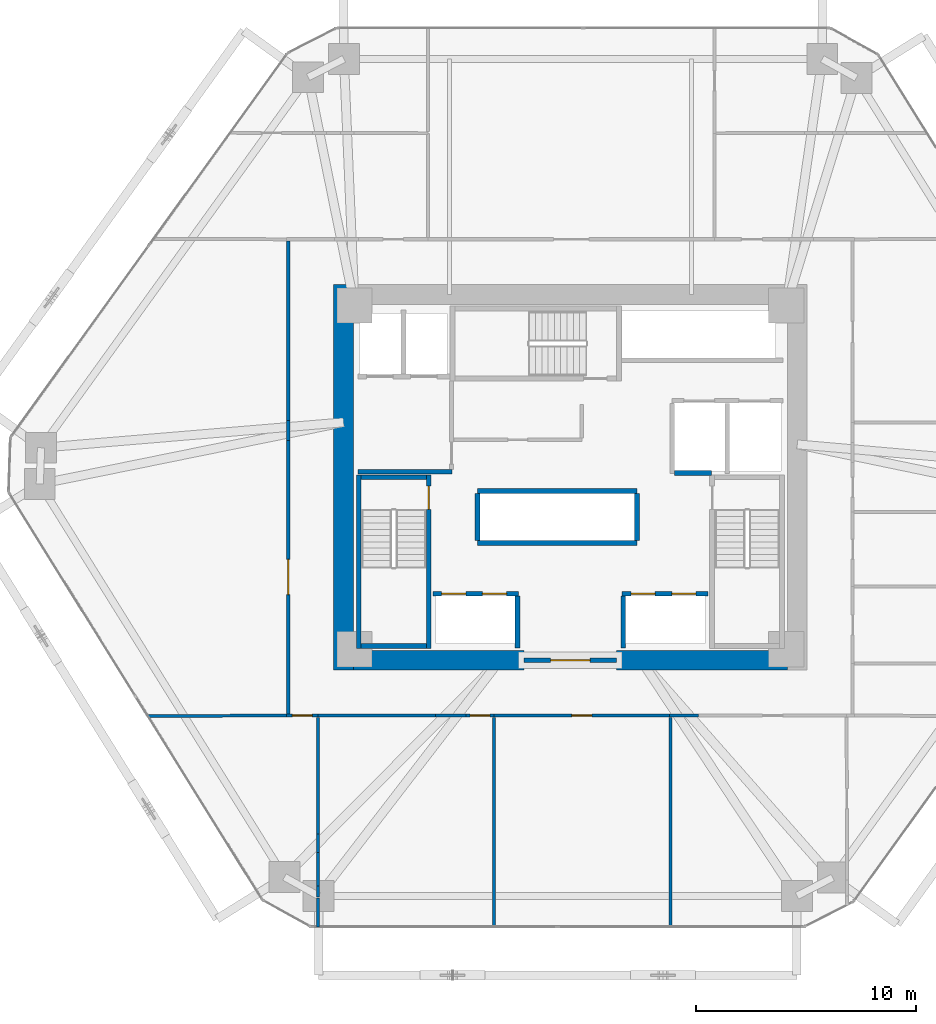
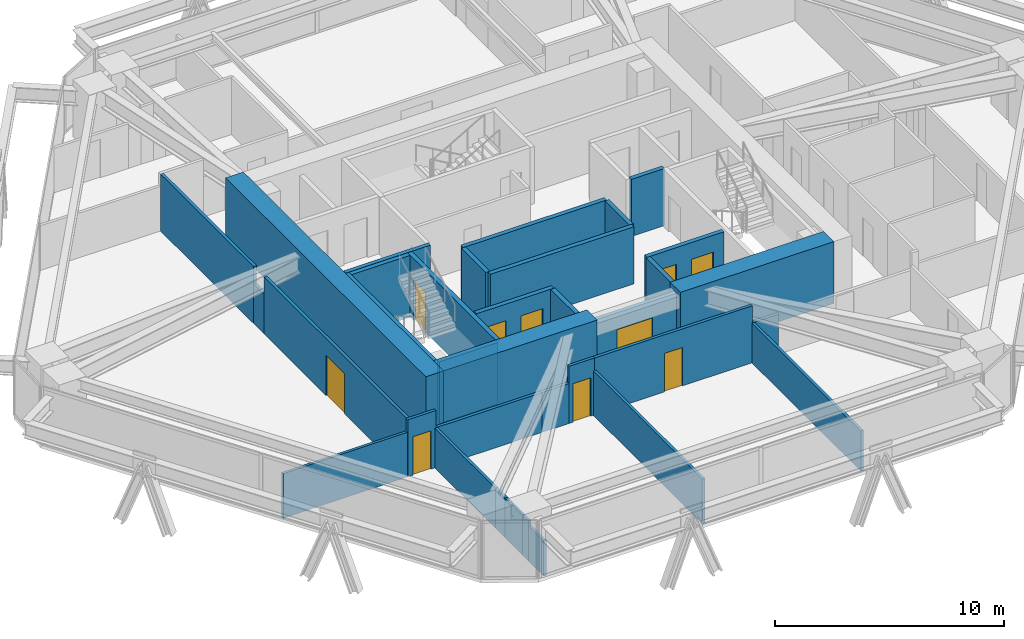
# One storey, part 13 of 17: 35 walls, 10 doors, 10 openings.
"""IFC4 building model written with IfcOpenShell, lengths in metres."""

from ifc_helpers import new_model, si_unit, direction, frame, frame_2d, origin, place, context, subcontext, project, spatial, rectangle, extrude, source, transform, mapped, material, layer, layer_set, type_object, type_shapes, element, fill, save


model = new_model("IFC4")

# Units and contexts
model_context = context("Model", 3, precision=1e-05, world=origin(), true_north=direction((0.0, 1.0)))
body_context = subcontext(model_context, "Body", "Model", "MODEL_VIEW")
ifc_project = project(units=[si_unit("LENGTHUNIT", "METRE"), si_unit("AREAUNIT", "SQUARE_METRE"), si_unit("VOLUMEUNIT", "CUBIC_METRE"), si_unit("PLANEANGLEUNIT", "RADIAN"), si_unit("MASSUNIT", "GRAM", prefix="KILO")], contexts=[model_context])

# Site, building, storey
site_placement = place(None, origin())
site = spatial("IfcSite", under=ifc_project, at=site_placement, CompositionType="ELEMENT")
building_placement = place(site_placement, origin())
building = spatial("IfcBuilding", under=site, at=building_placement, Name="Durnholm Broadcast Tower", CompositionType="ELEMENT")
storey_placement = place(building_placement, frame((0.0, 0.0, 58.800048828125)))
storey = spatial("IfcBuildingStorey", under=building, at=storey_placement, Name="L14", CompositionType="ELEMENT", Elevation=58.800048828125)

# Walls
ifc_material_1 = material(Name="Concrete C70/85", Category="concrete")
ifc_layer_1 = layer(ifc_material_1, 0.89990234375)
ifc_layer_set_1 = layer_set([ifc_layer_1], Name="Concrete C70/85")
wall_type_1 = type_object("IfcWallType", Name="WALL-CW-900", PredefinedType="SHEAR", material=ifc_layer_set_1)
wall_1_placement = place(storey_placement, frame((-10.300048828125, -8.75, 0.0), z_axis=(0.0, 0.0, 1.0), x_axis=(0.0, 1.0, 0.0)))
element("IfcWall", 1, at=wall_1_placement, inside=storey, type_object=wall_type_1, Name="L14 central core shear wall CW-WEST", PredefinedType="SHEAR", context=body_context, shape_type="SweptSolid", body=[
    extrude(rectangle(XDim=17.5, YDim=0.89990234375, at=frame_2d((8.75, 0.0))), origin(), (0.0, 0.0, 1.0), 3.300048828125),
])
for number, where, z_axis, x_axis, name in (
    (2, (-9.85009765625, -8.300048828125, 0.0), (0.0, 0.0, 1.0), (1.0, 0.0, 0.0), "L14 central core shear wall CW-S1"),
    (3, (2.10009765625, -8.300048828125, 0.0), (0.0, 0.0, 1.0), (1.0, 0.0, 0.0), "L14 central core shear wall CW-S2"),
):
    element("IfcWall", number, at=place(storey_placement, frame(where, z_axis=z_axis, x_axis=x_axis)), inside=storey, type_object=wall_type_1, Name=name, PredefinedType="SHEAR", context=body_context, shape_type="SweptSolid", body=[
        extrude(rectangle(XDim=7.75, YDim=0.89990234375, at=frame_2d((3.875, 0.0))), origin(), (0.0, 0.0, 1.0), 3.300048828125),
    ])

# Wall, opening, door
ifc_material_2 = material(Name="Fire-Rated Gypsum Shaftwall", Category="concrete")
ifc_layer_2 = layer(ifc_material_2, 0.199951171875)
ifc_layer_set_2 = layer_set([ifc_layer_2], Name="Fire-Rated Gypsum Shaftwall")
wall_type_2 = type_object("IfcWallType", Name="WALL-LOB-200", PredefinedType="SOLIDWALL", material=ifc_layer_set_2)
wall_2_placement = place(storey_placement, frame((-2.10009765625, -8.300048828125, 0.0), z_axis=(0.0, 0.0, 1.0), x_axis=(1.0, 0.0, 0.0)))
wall_2 = element("IfcWall", 4, at=wall_2_placement, inside=storey, type_object=wall_type_2, Name="L14 south core lobby fire screen", PredefinedType="SOLIDWALL", context=body_context, shape_type="SweptSolid", body=[
    extrude(rectangle(XDim=4.2001953125, YDim=0.199951171875, at=frame_2d((2.10009765625, 0.0))), origin(), (0.0, 0.0, 1.0), 3.044921875),
])
opening_1_placement = place(wall_2_placement, frame((1.199951171875, 0.0, 0.0)))
opening_1 = element("IfcOpeningElement", 5, at=opening_1_placement, cuts=wall_2, Name="Opening DP-60", PredefinedType="OPENING", context=body_context, shape_type="SweptSolid", body=[
    extrude(rectangle(XDim=1.800048828125, YDim=2.14990234375, at=frame_2d((0.89990234375, 1.074951171875))), frame((0.0, 0.10986328125, 0.0), z_axis=(0.0, -1.0, 0.0), x_axis=(1.0, 0.0, 0.0)), (0.0, 0.0, 1.0), 0.219970703125),
])
ifc_material_3 = material(Name="Fire-Rated Double Corridor Door", Category="steel")
ifc_layer_3 = layer(ifc_material_3, 0.050048828125)
ifc_layer_set_3 = layer_set([ifc_layer_3], Name="Fire-Rated Double Corridor Door")
door_type_1 = type_object("IfcDoorType", Name="DOOR-PAIR-FD60", OperationType="DOUBLE_DOOR_SINGLE_SWING", PredefinedType="DOOR", material=ifc_layer_set_3)
shared_shape_1 = source(origin(), body_context, "Body", "SweptSolid", [
    extrude(rectangle(XDim=1.800048828125, YDim=2.14990234375, at=frame_2d((0.89990234375, 1.074951171875))), frame((0.0, 0.02490234375, 0.0), z_axis=(0.0, -1.0, 0.0), x_axis=(1.0, 0.0, 0.0)), (0.0, 0.0, 1.0), 0.050048828125),
])
type_shapes(door_type_1, [shared_shape_1])
door_1_placement = place(opening_1_placement, origin())
door_1 = element("IfcDoor", 6, at=door_1_placement, inside=storey, type_object=door_type_1, Name="L14 south core lobby double fire door", OperationType="DOUBLE_DOOR_SINGLE_SWING", OverallHeight=2.14990234375, OverallWidth=1.800048828125, PredefinedType="DOOR", context=body_context, shape_type="MappedRepresentation", body=[
    mapped(shared_shape_1, transform((0.0, 0.0, 0.0), x_axis=(1.0, 0.0, 0.0), y_axis=(0.0, 1.0, 0.0), z_axis=(0.0, 0.0, 1.0), scale=1.0)),
])
fill(opening_1, door_1)

# Walls
wall_3_placement = place(storey_placement, frame((-9.64990234375, 0.25, 0.0), z_axis=(0.0, 0.0, 1.0), x_axis=(1.0, 0.0, 0.0)))
element("IfcWall", 7, at=wall_3_placement, inside=storey, type_object=wall_type_2, Name="L14 Fire Service Access Elevator lobby south wall", PredefinedType="SOLIDWALL", context=body_context, shape_type="SweptSolid", body=[
    extrude(rectangle(XDim=4.27001953125, YDim=0.199951171875, at=frame_2d((2.135009765625, 0.0))), origin(), (0.0, 0.0, 1.0), 3.044921875),
])
ifc_material_4 = material(Name="Gypsum Metal Stud Partition", Category="concrete")
ifc_layer_4 = layer(ifc_material_4, 0.135009765625)
ifc_layer_set_4 = layer_set([ifc_layer_4], Name="Gypsum Metal Stud Partition")
wall_type_3 = type_object("IfcWallType", Name="WALL-PART-135", PredefinedType="PARTITIONING", material=ifc_layer_set_4)
wall_4_placement = place(storey_placement, frame((-11.4599609375, -10.888916015625, 0.0), z_axis=(0.0, 0.0, 1.0), x_axis=(0.0, -1.0, 0.0)))
element("IfcWall", 8, at=wall_4_placement, inside=storey, type_object=wall_type_3, Name="L14 room dividing partition 10.11", PredefinedType="PARTITIONING", context=body_context, shape_type="SweptSolid", body=[
    extrude(rectangle(XDim=5.289794921875, YDim=0.135009765625, at=frame_2d((2.64501953125, 0.0))), origin(), (0.0, 0.0, 1.0), 2.130126953125),
])
wall_5_placement = place(storey_placement, frame((-11.4599609375, -17.035400390625, 0.0), z_axis=(0.0, 0.0, 1.0), x_axis=(0.0, -1.0, 0.0)))
element("IfcWall", 9, at=wall_5_placement, inside=storey, type_object=wall_type_3, Name="L14 room dividing partition 10.11", PredefinedType="PARTITIONING", context=body_context, shape_type="SweptSolid", body=[
    extrude(rectangle(XDim=1.506591796875, YDim=0.135009765625, at=frame_2d((0.75341796875, 0.0))), origin(), (0.0, 0.0, 1.0), 2.130126953125),
])
wall_6_placement = place(storey_placement, frame((-11.4599609375, -16.1787109375, 0.0), z_axis=(0.0, 0.0, 1.0), x_axis=(0.0, -1.0, 0.0)))
element("IfcWall", 10, at=wall_6_placement, inside=storey, type_object=wall_type_3, Name="L14 room dividing partition 10.11", PredefinedType="PARTITIONING", context=body_context, shape_type="SweptSolid", body=[
    extrude(rectangle(XDim=0.856689453125, YDim=0.135009765625, at=frame_2d((0.42822265625, 0.0))), origin(), (0.0, 0.0, 1.0), 2.130126953125),
])
wall_7_placement = place(storey_placement, frame((-11.4599609375, -18.5419921875, 0.0), z_axis=(0.0, 0.0, 1.0), x_axis=(0.0, -1.0, 0.0)))
element("IfcWall", 11, at=wall_7_placement, inside=storey, type_object=wall_type_3, Name="L14 room dividing partition 10.11", PredefinedType="PARTITIONING", context=body_context, shape_type="SweptSolid", body=[
    extrude(rectangle(XDim=0.511474609375, YDim=0.135009765625, at=frame_2d((0.255859375, 0.0))), origin(), (0.0, 0.0, 1.0), 2.130126953125),
])
wall_8_placement = place(storey_placement, frame((-11.4599609375, -19.083984375, 0.0), z_axis=(0.0, 0.0, 1.0), x_axis=(0.0, -1.0, 0.0)))
element("IfcWall", 12, at=wall_8_placement, inside=storey, type_object=wall_type_3, Name="L14 room dividing partition 10.11", PredefinedType="PARTITIONING", context=body_context, shape_type="SweptSolid", body=[
    extrude(rectangle(XDim=1.31591796875, YDim=0.135009765625, at=frame_2d((0.657958984375, 0.0))), origin(), (0.0, 0.0, 1.0), 1.877197265625),
])
wall_9_placement = place(storey_placement, frame((-19.18212890625, -10.831298828125, 0.0), z_axis=(0.0, 0.0, 1.0), x_axis=(0.999994432845, 0.003336806783, 0.0)))
element("IfcWall", 13, at=wall_9_placement, inside=storey, type_object=wall_type_3, Name="L14 room dividing partition 10.15", PredefinedType="PARTITIONING", context=body_context, shape_type="SweptSolid", body=[
    extrude(rectangle(XDim=6.292236328125, YDim=0.135009765625, at=frame_2d((3.14599609375, 0.0))), origin(), (0.0, 0.0, 1.0), 2.3798828125),
])
wall_10_placement = place(storey_placement, frame((-3.4599609375, -10.888916015625, 0.0), z_axis=(0.0, 0.0, 1.0), x_axis=(0.0, -1.0, 0.0)))
element("IfcWall", 14, at=wall_10_placement, inside=storey, type_object=wall_type_3, Name="L14 room dividing partition 11.12", PredefinedType="PARTITIONING", context=body_context, shape_type="SweptSolid", body=[
    extrude(rectangle(XDim=9.510986328125, YDim=0.135009765625, at=frame_2d((4.75537109375, 0.0))), origin(), (0.0, 0.0, 1.0), 2.3798828125),
])
wall_11_placement = place(storey_placement, frame((4.5400390625, -10.888916015625, 0.0), z_axis=(0.0, 0.0, 1.0), x_axis=(0.0, -1.0, 0.0)))
element("IfcWall", 15, at=wall_11_placement, inside=storey, type_object=wall_type_3, Name="L14 room dividing partition 12.13", PredefinedType="PARTITIONING", context=body_context, shape_type="SweptSolid", body=[
    extrude(rectangle(XDim=9.510986328125, YDim=0.135009765625, at=frame_2d((4.75537109375, 0.0))), origin(), (0.0, 0.0, 1.0), 2.130126953125),
])

# Wall, opening, door
ifc_material_5 = material(Name="Acoustic Gypsum Stud Partition", Category="concrete")
ifc_layer_5 = layer(ifc_material_5, 0.14990234375)
ifc_layer_set_5 = layer_set([ifc_layer_5], Name="Acoustic Gypsum Stud Partition")
wall_type_4 = type_object("IfcWallType", Name="WALL-PART-150", PredefinedType="PARTITIONING", material=ifc_layer_set_5)
wall_12_placement = place(storey_placement, frame((-12.889892578125, -10.81005859375, 0.0), z_axis=(0.0, 0.0, 1.0), x_axis=(1.0, 0.0, 0.0)))
wall_12 = element("IfcWall", 16, at=wall_12_placement, inside=storey, type_object=wall_type_4, Name="L14 Editorial Conference Room corridor partition", PredefinedType="PARTITIONING", context=body_context, shape_type="SweptSolid", body=[
    extrude(rectangle(XDim=1.429931640625, YDim=0.14990234375, at=frame_2d((0.71484375, 0.0))), origin(), (0.0, 0.0, 1.0), 3.044921875),
])
opening_2_placement = place(wall_12_placement, frame((0.264892578125, 0.0, 0.0)))
opening_2 = element("IfcOpeningElement", 17, at=opening_2_placement, cuts=wall_12, Name="Opening DW-90L", PredefinedType="OPENING", context=body_context, shape_type="SweptSolid", body=[
    extrude(rectangle(XDim=0.89990234375, YDim=2.050048828125, at=frame_2d((0.449951171875, 1.02490234375))), frame((0.0, 0.0849609375, 0.0), z_axis=(0.0, -1.0, 0.0), x_axis=(1.0, 0.0, 0.0)), (0.0, 0.0, 1.0), 0.169921875),
])
ifc_material_6 = material(Name="Laminate Restroom Door", Category="steel")
ifc_layer_6 = layer(ifc_material_6, 0.050048828125)
ifc_layer_set_6 = layer_set([ifc_layer_6], Name="Laminate Restroom Door")
door_type_2 = type_object("IfcDoorType", Name="DOOR-WC-900L", OperationType="NOTDEFINED", PredefinedType="DOOR", material=ifc_layer_set_6)
shared_shape_2 = source(origin(), body_context, "Body", "SweptSolid", [
    extrude(rectangle(XDim=0.89990234375, YDim=2.050048828125, at=frame_2d((0.449951171875, 1.02490234375))), frame((0.0, 0.02490234375, 0.0), z_axis=(0.0, -1.0, 0.0), x_axis=(1.0, 0.0, 0.0)), (0.0, 0.0, 1.0), 0.050048828125),
])
type_shapes(door_type_2, [shared_shape_2])
door_2_placement = place(opening_2_placement, origin())
door_2 = element("IfcDoor", 18, at=door_2_placement, inside=storey, type_object=door_type_2, Name="L14 Editorial Conference Room entrance door", OperationType="SINGLE_SWING_LEFT", OverallHeight=2.050048828125, OverallWidth=0.89990234375, PredefinedType="DOOR", context=body_context, shape_type="MappedRepresentation", body=[
    mapped(shared_shape_2, transform((0.0, 0.0, 0.0), x_axis=(1.0, 0.0, 0.0), y_axis=(0.0, 1.0, 0.0), z_axis=(0.0, 0.0, 1.0), scale=1.0)),
])
fill(opening_2, door_2)

# Wall
wall_13_placement = place(storey_placement, frame((-11.4599609375, -10.81005859375, 0.0), z_axis=(0.0, 0.0, 1.0), x_axis=(1.0, 0.0, 0.0)))
element("IfcWall", 19, at=wall_13_placement, inside=storey, type_object=wall_type_4, Name="L14 Crew Dining Room corridor partition", PredefinedType="PARTITIONING", context=body_context, shape_type="SweptSolid", body=[
    extrude(rectangle(XDim=5.33837890625, YDim=0.14990234375, at=frame_2d((2.669189453125, 0.0))), origin(), (0.0, 0.0, 1.0), 2.130126953125),
])

# Wall, opening, door
wall_14_placement = place(storey_placement, frame((-4.749755859375, -10.81005859375, 0.0), z_axis=(0.0, 0.0, 1.0), x_axis=(1.0, 0.0, 0.0)))
wall_14 = element("IfcWall", 20, at=wall_14_placement, inside=storey, type_object=wall_type_4, Name="L14 Crew Dining Room corridor partition", PredefinedType="PARTITIONING", context=body_context, shape_type="SweptSolid", body=[
    extrude(rectangle(XDim=1.289794921875, YDim=0.14990234375, at=frame_2d((0.64501953125, 0.0))), origin(), (0.0, 0.0, 1.0), 3.044921875),
])
opening_3_placement = place(wall_14_placement, frame((0.19482421875, 0.0, 0.0)))
opening_3 = element("IfcOpeningElement", 21, at=opening_3_placement, cuts=wall_14, Name="Opening DW-90R", PredefinedType="OPENING", context=body_context, shape_type="SweptSolid", body=[
    extrude(rectangle(XDim=0.89990234375, YDim=2.050048828125, at=frame_2d((0.449951171875, 1.02490234375))), frame((0.0, 0.0849609375, 0.0), z_axis=(0.0, -1.0, 0.0), x_axis=(1.0, 0.0, 0.0)), (0.0, 0.0, 1.0), 0.169921875),
])
ifc_layer_7 = layer(ifc_material_6, 0.050048828125)
ifc_layer_set_7 = layer_set([ifc_layer_7], Name="Laminate Restroom Door")
door_type_3 = type_object("IfcDoorType", Name="DOOR-WC-900R", OperationType="NOTDEFINED", PredefinedType="DOOR", material=ifc_layer_set_7)
shared_shape_3 = source(origin(), body_context, "Body", "SweptSolid", [
    extrude(rectangle(XDim=0.89990234375, YDim=2.050048828125, at=frame_2d((0.449951171875, 1.02490234375))), frame((0.0, 0.02490234375, 0.0), z_axis=(0.0, -1.0, 0.0), x_axis=(1.0, 0.0, 0.0)), (0.0, 0.0, 1.0), 0.050048828125),
])
type_shapes(door_type_3, [shared_shape_3])
door_3_placement = place(opening_3_placement, origin())
door_3 = element("IfcDoor", 22, at=door_3_placement, inside=storey, type_object=door_type_3, Name="L14 Crew Dining Room entrance door", OperationType="SINGLE_SWING_RIGHT", OverallHeight=2.050048828125, OverallWidth=0.89990234375, PredefinedType="DOOR", context=body_context, shape_type="MappedRepresentation", body=[
    mapped(shared_shape_3, transform((0.0, 0.0, 0.0), x_axis=(1.0, 0.0, 0.0), y_axis=(0.0, 1.0, 0.0), z_axis=(0.0, 0.0, 1.0), scale=1.0)),
])
fill(opening_3, door_3)

# Wall
wall_15_placement = place(storey_placement, frame((-6.12158203125, -10.81005859375, 0.0), z_axis=(0.0, 0.0, 1.0), x_axis=(1.0, 0.0, 0.0)))
element("IfcWall", 23, at=wall_15_placement, inside=storey, type_object=wall_type_4, Name="L14 Crew Dining Room corridor partition", PredefinedType="PARTITIONING", context=body_context, shape_type="SweptSolid", body=[
    extrude(rectangle(XDim=1.371826171875, YDim=0.14990234375, at=frame_2d((0.68603515625, 0.0))), origin(), (0.0, 0.0, 1.0), 2.130126953125),
])

# Wall, opening, door
wall_16_placement = place(storey_placement, frame((-3.4599609375, -10.81005859375, 0.0), z_axis=(0.0, 0.0, 1.0), x_axis=(1.0, 0.0, 0.0)))
wall_16 = element("IfcWall", 24, at=wall_16_placement, inside=storey, type_object=wall_type_4, Name="L14 Field Gear Store corridor partition", PredefinedType="PARTITIONING", context=body_context, shape_type="SweptSolid", body=[
    extrude(rectangle(XDim=7.959228515625, YDim=0.14990234375, at=frame_2d((3.9794921875, 0.0))), origin(), (0.0, 0.0, 1.0), 3.044921875),
])
opening_4_placement = place(wall_16_placement, frame((3.529541015625, 0.0, 0.0)))
opening_4 = element("IfcOpeningElement", 25, at=opening_4_placement, cuts=wall_16, Name="Opening DC-60L", PredefinedType="OPENING", context=body_context, shape_type="SweptSolid", body=[
    extrude(rectangle(XDim=0.89990234375, YDim=2.050048828125, at=frame_2d((0.449951171875, 1.02490234375))), frame((0.0, 0.0849609375, 0.0), z_axis=(0.0, -1.0, 0.0), x_axis=(1.0, 0.0, 0.0)), (0.0, 0.0, 1.0), 0.169921875),
])
ifc_material_7 = material(Name="Fire-Rated Core Service Door", Category="steel")
ifc_layer_8 = layer(ifc_material_7, 0.050048828125)
ifc_layer_set_8 = layer_set([ifc_layer_8], Name="Fire-Rated Core Service Door")
door_type_4 = type_object("IfcDoorType", Name="DOOR-CORE-FD60-L", OperationType="NOTDEFINED", PredefinedType="DOOR", material=ifc_layer_set_8)
shared_shape_4 = source(origin(), body_context, "Body", "SweptSolid", [
    extrude(rectangle(XDim=0.89990234375, YDim=2.050048828125, at=frame_2d((0.449951171875, 1.02490234375))), frame((0.0, 0.02490234375, 0.0), z_axis=(0.0, -1.0, 0.0), x_axis=(1.0, 0.0, 0.0)), (0.0, 0.0, 1.0), 0.050048828125),
])
type_shapes(door_type_4, [shared_shape_4])
door_4_placement = place(opening_4_placement, origin())
door_4 = element("IfcDoor", 26, at=door_4_placement, inside=storey, type_object=door_type_4, Name="L14 Field Gear Store entrance door", OperationType="SINGLE_SWING_LEFT", OverallHeight=2.050048828125, OverallWidth=0.89990234375, PredefinedType="DOOR", context=body_context, shape_type="MappedRepresentation", body=[
    mapped(shared_shape_4, transform((0.0, 0.0, 0.0), x_axis=(1.0, 0.0, 0.0), y_axis=(0.0, 1.0, 0.0), z_axis=(0.0, 0.0, 1.0), scale=1.0)),
])
fill(opening_4, door_4)

# Walls
wall_17_placement = place(storey_placement, frame((4.499267578125, -10.81005859375, 0.0), z_axis=(0.0, 0.0, 1.0), x_axis=(1.0, 0.0, 0.0)))
element("IfcWall", 27, at=wall_17_placement, inside=storey, type_object=wall_type_4, Name="L14 Open Plan Broadcast Workspace 4 corridor partition", PredefinedType="PARTITIONING", context=body_context, shape_type="SweptSolid", body=[
    extrude(rectangle(XDim=1.318115234375, YDim=0.14990234375, at=frame_2d((0.6591796875, 0.0))), origin(), (0.0, 0.0, 1.0), 2.130126953125),
])
wall_18_placement = place(storey_placement, frame((-12.81005859375, 10.73095703125, 0.0), z_axis=(0.0, 0.0, 1.0), x_axis=(0.0, -1.0, 0.0)))
element("IfcWall", 28, at=wall_18_placement, inside=storey, type_object=wall_type_4, Name="L14 Documentary Screening Hall corridor partition", PredefinedType="PARTITIONING", context=body_context, shape_type="SweptSolid", body=[
    extrude(rectangle(XDim=8.138671875, YDim=0.14990234375, at=frame_2d((4.0693359375, 0.0))), origin(), (0.0, 0.0, 1.0), 3.044921875),
])

# Wall, opening, door
wall_19_placement = place(storey_placement, frame((-12.81005859375, 1.682373046875, 0.0), z_axis=(0.0, 0.0, 1.0), x_axis=(0.0, -1.0, 0.0)))
wall_19 = element("IfcWall", 29, at=wall_19_placement, inside=storey, type_object=wall_type_4, Name="L14 Documentary Screening Hall corridor partition", PredefinedType="PARTITIONING", context=body_context, shape_type="SweptSolid", body=[
    extrude(rectangle(XDim=12.413330078125, YDim=0.14990234375, at=frame_2d((6.20654296875, 0.0))), origin(), (0.0, 0.0, 1.0), 3.044921875),
])
opening_5_placement = place(wall_19_placement, frame((5.406494140625, 0.0, 0.0)))
opening_5 = element("IfcOpeningElement", 30, at=opening_5_placement, cuts=wall_19, Name="Opening DST-160", PredefinedType="OPENING", context=body_context, shape_type="SweptSolid", body=[
    extrude(rectangle(XDim=1.60009765625, YDim=2.14990234375, at=frame_2d((0.800048828125, 1.074951171875))), frame((0.0, 0.0849609375, 0.0), z_axis=(0.0, -1.0, 0.0), x_axis=(1.0, 0.0, 0.0)), (0.0, 0.0, 1.0), 0.169921875),
])
ifc_material_8 = material(Name="Acoustic Broadcast Studio Sound-Lock Door", Category="steel")
ifc_layer_9 = layer(ifc_material_8, 0.050048828125)
ifc_layer_set_9 = layer_set([ifc_layer_9], Name="Acoustic Broadcast Studio Sound-Lock Door")
door_type_5 = type_object("IfcDoorType", Name="DOOR-STU-1600", OperationType="DOUBLE_DOOR_SINGLE_SWING", PredefinedType="DOOR", material=ifc_layer_set_9)
shared_shape_5 = source(origin(), body_context, "Body", "SweptSolid", [
    extrude(rectangle(XDim=1.60009765625, YDim=2.14990234375, at=frame_2d((0.800048828125, 1.074951171875))), frame((0.0, 0.02490234375, 0.0), z_axis=(0.0, -1.0, 0.0), x_axis=(1.0, 0.0, 0.0)), (0.0, 0.0, 1.0), 0.050048828125),
])
type_shapes(door_type_5, [shared_shape_5])
door_5_placement = place(opening_5_placement, origin())
door_5 = element("IfcDoor", 31, at=door_5_placement, inside=storey, type_object=door_type_5, Name="L14 Documentary Screening Hall entrance door", OperationType="DOUBLE_DOOR_SINGLE_SWING", OverallHeight=2.14990234375, OverallWidth=1.60009765625, PredefinedType="DOOR", context=body_context, shape_type="MappedRepresentation", body=[
    mapped(shared_shape_5, transform((0.0, 0.0, 0.0), x_axis=(1.0, 0.0, 0.0), y_axis=(0.0, 1.0, 0.0), z_axis=(0.0, 0.0, 1.0), scale=1.0)),
])
fill(opening_5, door_5)

# Walls
wall_20_placement = place(storey_placement, frame((-12.81005859375, 2.59228515625, 0.0), z_axis=(0.0, 0.0, 1.0), x_axis=(0.0, -1.0, 0.0)))
element("IfcWall", 32, at=wall_20_placement, inside=storey, type_object=wall_type_4, Name="L14 Documentary Screening Hall corridor partition", PredefinedType="PARTITIONING", context=body_context, shape_type="SweptSolid", body=[
    extrude(rectangle(XDim=0.909912109375, YDim=0.14990234375, at=frame_2d((0.455078125, 0.0))), origin(), (0.0, 0.0, 1.0), 2.130126953125),
])
ifc_material_9 = material(Name="Concrete Blockwork C30/37", Category="masonry")
ifc_layer_10 = layer(ifc_material_9, 0.219970703125)
ifc_layer_set_10 = layer_set([ifc_layer_10], Name="Concrete Blockwork C30/37")
wall_type_5 = type_object("IfcWallType", Name="WALL-SHAFT-220", PredefinedType="SOLIDWALL", material=ifc_layer_set_10)
wall_21_placement = place(storey_placement, frame((4.73388671875, 0.199951171875, 0.0), z_axis=(0.0, 0.0, 1.0), x_axis=(1.0, 0.0, 0.0)))
element("IfcWall", 33, at=wall_21_placement, inside=storey, type_object=wall_type_5, Name="L14 freight service lift SVL-2 south wall", PredefinedType="SOLIDWALL", context=body_context, shape_type="SweptSolid", body=[
    extrude(rectangle(XDim=1.666015625, YDim=0.219970703125, at=frame_2d((0.8330078125, 0.0))), origin(), (0.0, 0.0, 1.0), 3.044921875),
])

# Wall, openings, doors
wall_22_placement = place(storey_placement, frame((-6.25, -5.280029296875, 0.0), z_axis=(0.0, 0.0, 1.0), x_axis=(1.0, 0.0, 0.0)))
wall_22 = element("IfcWall", 34, at=wall_22_placement, inside=storey, type_object=wall_type_5, Name="L14 low-rise bank P1 west front wall", PredefinedType="SOLIDWALL", context=body_context, shape_type="SweptSolid", body=[
    extrude(rectangle(XDim=3.89990234375, YDim=0.219970703125, at=frame_2d((1.949951171875, 0.0))), origin(), (0.0, 0.0, 1.0), 3.044921875),
])
opening_6_placement = place(wall_22_placement, frame((0.39990234375, 0.0, 0.0)))
opening_6 = element("IfcOpeningElement", 35, at=opening_6_placement, cuts=wall_22, Name="Opening LD-LP1-1", PredefinedType="OPENING", context=body_context, shape_type="SweptSolid", body=[
    extrude(rectangle(XDim=1.10009765625, YDim=2.14990234375, at=frame_2d((0.550048828125, 1.074951171875))), frame((0.0, 0.1201171875, 0.0), z_axis=(0.0, -1.0, 0.0), x_axis=(1.0, 0.0, 0.0)), (0.0, 0.0, 1.0), 0.239990234375),
])
opening_7_placement = place(wall_22_placement, frame((2.25, 0.0, 0.0)))
opening_7 = element("IfcOpeningElement", 36, at=opening_7_placement, cuts=wall_22, Name="Opening LD-LP1-2", PredefinedType="OPENING", context=body_context, shape_type="SweptSolid", body=[
    extrude(rectangle(XDim=1.10009765625, YDim=2.14990234375, at=frame_2d((0.550048828125, 1.074951171875))), frame((0.0, 0.1201171875, 0.0), z_axis=(0.0, -1.0, 0.0), x_axis=(1.0, 0.0, 0.0)), (0.0, 0.0, 1.0), 0.239990234375),
])
ifc_material_10 = material(Name="Stainless Steel Sliding Elevator Landing Door", Category="steel")
ifc_layer_11 = layer(ifc_material_10, 0.050048828125)
ifc_layer_set_11 = layer_set([ifc_layer_11], Name="Stainless Steel Sliding Elevator Landing Door")
door_type_6 = type_object("IfcDoorType", Name="DOOR-LIFT-PAX", OperationType="DOUBLE_DOOR_SLIDING", PredefinedType="DOOR", material=ifc_layer_set_11)
shared_shape_6 = source(origin(), body_context, "Body", "SweptSolid", [
    extrude(rectangle(XDim=1.10009765625, YDim=2.14990234375, at=frame_2d((0.550048828125, 1.074951171875))), frame((0.0, 0.02490234375, 0.0), z_axis=(0.0, -1.0, 0.0), x_axis=(1.0, 0.0, 0.0)), (0.0, 0.0, 1.0), 0.050048828125),
])
type_shapes(door_type_6, [shared_shape_6])
door_6_placement = place(opening_6_placement, origin())
door_6 = element("IfcDoor", 37, at=door_6_placement, inside=storey, type_object=door_type_6, Name="L14 passenger elevator LP1-1 sliding landing door", OperationType="DOUBLE_DOOR_SLIDING", OverallHeight=2.14990234375, OverallWidth=1.10009765625, PredefinedType="DOOR", context=body_context, shape_type="MappedRepresentation", body=[
    mapped(shared_shape_6, transform((0.0, 0.0, 0.0), x_axis=(1.0, 0.0, 0.0), y_axis=(0.0, 1.0, 0.0), z_axis=(0.0, 0.0, 1.0), scale=1.0)),
])
fill(opening_6, door_6)
door_7_placement = place(opening_7_placement, origin())
door_7 = element("IfcDoor", 38, at=door_7_placement, inside=storey, type_object=door_type_6, Name="L14 passenger elevator LP1-2 sliding landing door", OperationType="DOUBLE_DOOR_SLIDING", OverallHeight=2.14990234375, OverallWidth=1.10009765625, PredefinedType="DOOR", context=body_context, shape_type="MappedRepresentation", body=[
    mapped(shared_shape_6, transform((0.0, 0.0, 0.0), x_axis=(1.0, 0.0, 0.0), y_axis=(0.0, 1.0, 0.0), z_axis=(0.0, 0.0, 1.0), scale=1.0)),
])
fill(opening_7, door_7)

wall_23_placement = place(storey_placement, frame((2.35009765625, -5.280029296875, 0.0), z_axis=(0.0, 0.0, 1.0), x_axis=(1.0, 0.0, 0.0)))
wall_23 = element("IfcWall", 39, at=wall_23_placement, inside=storey, type_object=wall_type_5, Name="L14 low-rise bank P1 east front wall", PredefinedType="SOLIDWALL", context=body_context, shape_type="SweptSolid", body=[
    extrude(rectangle(XDim=3.89990234375, YDim=0.219970703125, at=frame_2d((1.949951171875, 0.0))), origin(), (0.0, 0.0, 1.0), 3.044921875),
])
opening_8_placement = place(wall_23_placement, frame((0.39990234375, 0.0, 0.0)))
opening_8 = element("IfcOpeningElement", 40, at=opening_8_placement, cuts=wall_23, Name="Opening LD-LP1-3", PredefinedType="OPENING", context=body_context, shape_type="SweptSolid", body=[
    extrude(rectangle(XDim=1.10009765625, YDim=2.14990234375, at=frame_2d((0.550048828125, 1.074951171875))), frame((0.0, 0.1201171875, 0.0), z_axis=(0.0, -1.0, 0.0), x_axis=(1.0, 0.0, 0.0)), (0.0, 0.0, 1.0), 0.239990234375),
])
opening_9_placement = place(wall_23_placement, frame((2.25, 0.0, 0.0)))
opening_9 = element("IfcOpeningElement", 41, at=opening_9_placement, cuts=wall_23, Name="Opening LD-LP1-4", PredefinedType="OPENING", context=body_context, shape_type="SweptSolid", body=[
    extrude(rectangle(XDim=1.10009765625, YDim=2.14990234375, at=frame_2d((0.550048828125, 1.074951171875))), frame((0.0, 0.1201171875, 0.0), z_axis=(0.0, -1.0, 0.0), x_axis=(1.0, 0.0, 0.0)), (0.0, 0.0, 1.0), 0.239990234375),
])
door_8_placement = place(opening_8_placement, origin())
door_8 = element("IfcDoor", 42, at=door_8_placement, inside=storey, type_object=door_type_6, Name="L14 passenger elevator LP1-3 sliding landing door", OperationType="DOUBLE_DOOR_SLIDING", OverallHeight=2.14990234375, OverallWidth=1.10009765625, PredefinedType="DOOR", context=body_context, shape_type="MappedRepresentation", body=[
    mapped(shared_shape_6, transform((0.0, 0.0, 0.0), x_axis=(1.0, 0.0, 0.0), y_axis=(0.0, 1.0, 0.0), z_axis=(0.0, 0.0, 1.0), scale=1.0)),
])
fill(opening_8, door_8)
door_9_placement = place(opening_9_placement, origin())
door_9 = element("IfcDoor", 43, at=door_9_placement, inside=storey, type_object=door_type_6, Name="L14 passenger elevator LP1-4 sliding landing door", OperationType="DOUBLE_DOOR_SLIDING", OverallHeight=2.14990234375, OverallWidth=1.10009765625, PredefinedType="DOOR", context=body_context, shape_type="MappedRepresentation", body=[
    mapped(shared_shape_6, transform((0.0, 0.0, 0.0), x_axis=(1.0, 0.0, 0.0), y_axis=(0.0, 1.0, 0.0), z_axis=(0.0, 0.0, 1.0), scale=1.0)),
])
fill(opening_9, door_9)

# Walls
for number, where, z_axis, x_axis, name in (
    (44, (-2.39990234375, -7.75, 0.0), (0.0, 0.0, 1.0), (0.0, 1.0, 0.0), "L14 low-rise bank P1 west mouth wall"),
    (45, (2.39990234375, -7.75, 0.0), (0.0, 0.0, 1.0), (0.0, 1.0, 0.0), "L14 low-rise bank P1 east mouth wall"),
):
    element("IfcWall", number, at=place(storey_placement, frame(where, z_axis=z_axis, x_axis=x_axis)), inside=storey, type_object=wall_type_5, Name=name, PredefinedType="SOLIDWALL", context=body_context, shape_type="SweptSolid", body=[
        extrude(rectangle(XDim=2.35595703125, YDim=0.219970703125, at=frame_2d((1.177978515625, 0.0))), origin(), (0.0, 0.0, 1.0), 3.044921875),
    ])
for number, where, z_axis, x_axis, name in (
    (46, (-4.219970703125, -2.97998046875, 0.0), (0.0, 0.0, 1.0), (1.0, 0.0, 0.0), "L14 mid-rise bank P2 south front wall"),
    (47, (-4.219970703125, -0.6201171875, 0.0), (0.0, 0.0, 1.0), (1.0, 0.0, 0.0), "L14 mid-rise bank P2 north shaft wall"),
):
    element("IfcWall", number, at=place(storey_placement, frame(where, z_axis=z_axis, x_axis=x_axis)), inside=storey, type_object=wall_type_5, Name=name, PredefinedType="SOLIDWALL", context=body_context, shape_type="SweptSolid", body=[
        extrude(rectangle(XDim=7.239990234375, YDim=0.219970703125, at=frame_2d((3.6201171875, 0.0))), origin(), (0.0, 0.0, 1.0), 3.044921875),
    ])
for number, where, z_axis, x_axis, name in (
    (48, (-4.219970703125, -2.865966796875, 0.0), (0.0, 0.0, 1.0), (0.0, 1.0, 0.0), "L14 mid-rise bank P2 west shaft wall"),
    (49, (3.02001953125, -2.865966796875, 0.0), (0.0, 0.0, 1.0), (0.0, 1.0, 0.0), "L14 mid-rise bank P2 east shaft wall"),
):
    element("IfcWall", number, at=place(storey_placement, frame(where, z_axis=z_axis, x_axis=x_axis)), inside=storey, type_object=wall_type_5, Name=name, PredefinedType="SOLIDWALL", context=body_context, shape_type="SweptSolid", body=[
        extrude(rectangle(XDim=2.132080078125, YDim=0.219970703125, at=frame_2d((1.06591796875, 0.0))), origin(), (0.0, 0.0, 1.0), 3.044921875),
    ])

# Wall, opening, door
ifc_material_11 = material(Name="Concrete C50/60", Category="concrete")
ifc_layer_12 = layer(ifc_material_11, 0.219970703125)
ifc_layer_set_12 = layer_set([ifc_layer_12], Name="Concrete C50/60")
wall_type_6 = type_object("IfcWallType", Name="WALL-SW-220", PredefinedType="SHEAR", material=ifc_layer_set_12)
wall_24_placement = place(storey_placement, frame((-6.429931640625, -7.77001953125, -0.239990234375), z_axis=(0.0, 0.0, 1.0), x_axis=(0.0, 1.0, 0.0)))
wall_24 = element("IfcWall", 50, at=wall_24_placement, inside=storey, type_object=wall_type_6, Name="L14 stair ST-1 structural shaft wall E", PredefinedType="SHEAR", context=body_context, shape_type="SweptSolid", body=[
    extrude(rectangle(XDim=7.89013671875, YDim=0.219970703125, at=frame_2d((3.945068359375, 0.0))), origin(), (0.0, 0.0, 1.0), 3.300048828125),
])
opening_10_placement = place(wall_24_placement, frame((6.320068359375, 0.0, 0.0)))
opening_10 = element("IfcOpeningElement", 51, at=opening_10_placement, cuts=wall_24, Name="Opening DS-90L", PredefinedType="OPENING", context=body_context, shape_type="SweptSolid", body=[
    extrude(rectangle(XDim=1.050048828125, YDim=2.14990234375, at=frame_2d((0.52490234375, 1.074951171875))), frame((0.0, 0.1201171875, 0.0), z_axis=(0.0, -1.0, 0.0), x_axis=(1.0, 0.0, 0.0)), (0.0, 0.0, 1.0), 0.239990234375),
])
ifc_material_12 = material(Name="Fire-Rated Steel Door", Category="steel")
ifc_layer_13 = layer(ifc_material_12, 0.050048828125)
ifc_layer_set_13 = layer_set([ifc_layer_13], Name="Fire-Rated Steel Door")
door_type_7 = type_object("IfcDoorType", Name="DOOR-ST-FD90-L", OperationType="NOTDEFINED", PredefinedType="DOOR", material=ifc_layer_set_13)
shared_shape_7 = source(origin(), body_context, "Body", "SweptSolid", [
    extrude(rectangle(XDim=1.050048828125, YDim=2.14990234375, at=frame_2d((0.52490234375, 1.074951171875))), frame((0.0, 0.02490234375, 0.0), z_axis=(0.0, -1.0, 0.0), x_axis=(1.0, 0.0, 0.0)), (0.0, 0.0, 1.0), 0.050048828125),
])
type_shapes(door_type_7, [shared_shape_7])
door_10_placement = place(opening_10_placement, origin())
door_10 = element("IfcDoor", 52, at=door_10_placement, inside=storey, type_object=door_type_7, Name="L14 exit stair ST-1 fire door", OperationType="SINGLE_SWING_LEFT", OverallHeight=2.14990234375, OverallWidth=1.050048828125, PredefinedType="DOOR", context=body_context, shape_type="MappedRepresentation", body=[
    mapped(shared_shape_7, transform((0.0, 0.0, 0.0), x_axis=(1.0, 0.0, 0.0), y_axis=(0.0, 1.0, 0.0), z_axis=(0.0, 0.0, 1.0), scale=1.0)),
])
fill(opening_10, door_10)

# Walls
wall_25_placement = place(storey_placement, frame((-9.610107421875, 0.1201171875, -0.239990234375), z_axis=(0.0, 0.0, 1.0), x_axis=(0.0, -1.0, 0.0)))
element("IfcWall", 53, at=wall_25_placement, inside=storey, type_object=wall_type_6, Name="L14 stair ST-1 structural shaft wall W", PredefinedType="SHEAR", context=body_context, shape_type="SweptSolid", body=[
    extrude(rectangle(XDim=7.89013671875, YDim=0.219970703125, at=frame_2d((3.945068359375, 0.0))), origin(), (0.0, 0.0, 1.0), 3.300048828125),
])
for number, where, z_axis, x_axis, name in (
    (54, (-9.5, -7.659912109375, -0.239990234375), (0.0, 0.0, 1.0), (1.0, 0.0, 0.0), "L14 stair ST-1 structural shaft wall S"),
    (55, (-6.5400390625, 0.010009765625, -0.239990234375), (0.0, 0.0, 1.0), (-1.0, 0.0, 0.0), "L14 stair ST-1 structural shaft wall N"),
):
    element("IfcWall", number, at=place(storey_placement, frame(where, z_axis=z_axis, x_axis=x_axis)), inside=storey, type_object=wall_type_6, Name=name, PredefinedType="SHEAR", context=body_context, shape_type="SweptSolid", body=[
        extrude(rectangle(XDim=2.9599609375, YDim=0.219970703125, at=frame_2d((1.47998046875, 0.0))), origin(), (0.0, 0.0, 1.0), 3.300048828125),
    ])

save(model, "model.ifc")
